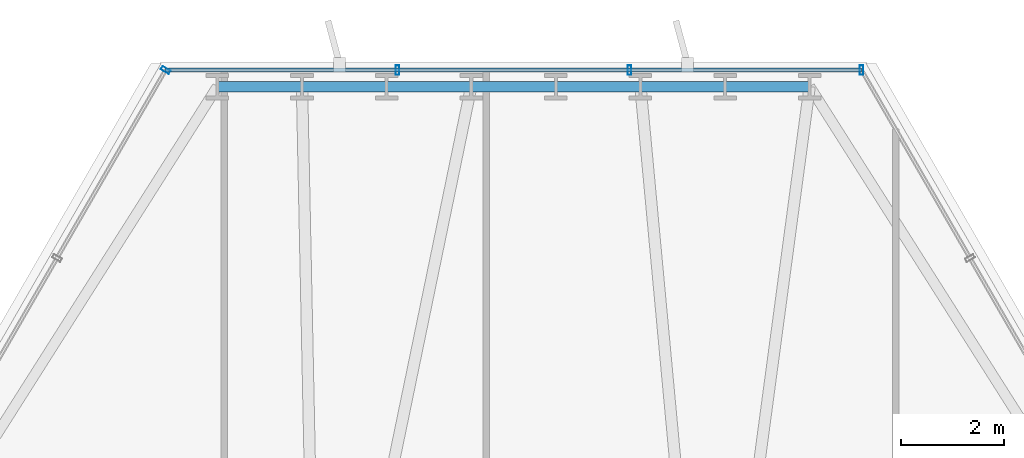
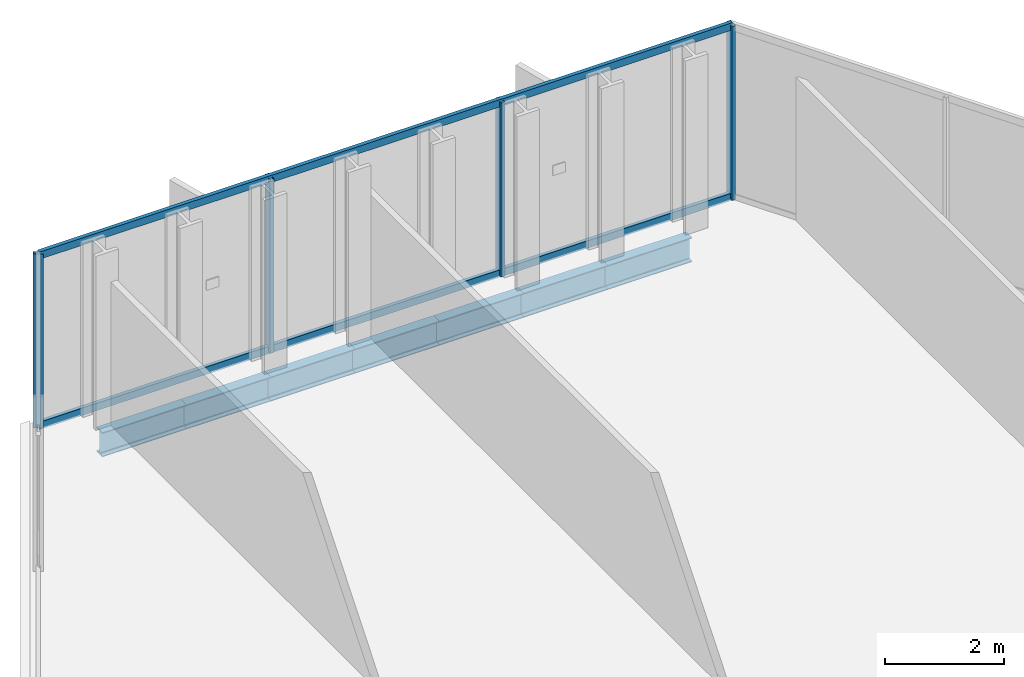
# One storey, part 22 of 31: 7 beams, 6 members, 2 elements without a shape of their own.
"""IFC4 building model written with IfcOpenShell, lengths in metres."""

from ifc_helpers import new_model, si_unit, direction, frame, origin, origin_2d, place, context, subcontext, project, spatial, hollow_rectangle, i_section, extrude, material, layer, layer_set, material_profile, profile_set, type_object, element, aggregate, save


model = new_model("IFC4")

# Units and contexts
model_context = context("Model", 3, precision=1e-05, world=origin(), true_north=direction((0.0, 1.0)))
body_context = subcontext(model_context, "Body", "Model", "MODEL_VIEW")
ifc_project = project(units=[si_unit("LENGTHUNIT", "METRE"), si_unit("AREAUNIT", "SQUARE_METRE"), si_unit("VOLUMEUNIT", "CUBIC_METRE"), si_unit("PLANEANGLEUNIT", "RADIAN"), si_unit("MASSUNIT", "GRAM", prefix="KILO")], contexts=[model_context])

# Site, building, storey
site_placement = place(None, origin())
site = spatial("IfcSite", under=ifc_project, at=site_placement, CompositionType="ELEMENT")
building_placement = place(site_placement, origin())
building = spatial("IfcBuilding", under=site, at=building_placement, Name="Ndaravel Arena Tower", CompositionType="ELEMENT")
storey_placement = place(building_placement, frame((0.0, 0.0, 100.60009765625)))
storey = spatial("IfcBuildingStorey", under=building, at=storey_placement, Name="L23", CompositionType="ELEMENT", Elevation=100.60009765625)

# Beams
ifc_material_1 = material(Name="Steel S355", Category="steel")
ifc_material_profile_1 = material_profile(ifc_material_1, i_section(OverallWidth=0.199951171875, OverallDepth=0.5, WebThickness=0.01025390625, FlangeThickness=0.01611328125, FilletRadius=0.02099609375, at=origin_2d()), Name="IPE 500")
ifc_profile_set_1 = profile_set([ifc_material_profile_1], Name="Steel S355")
beam_type = type_object("IfcBeamType", Name="BM-SPAN-IPE500", PredefinedType="SPANDREL", material=ifc_profile_set_1)
for number, where, z_axis, x_axis, name in (
    (1, (47.7353515625, 45.642578125, -0.47021484375), (-1.0, 0.0, 0.0), (0.0, -1.0, 0.0), "L23 Perimeter Spandrel Beam SP-11"),
    (2, (46.0966796875, 45.642578125, -0.47021484375), (-1.0, 0.0, 0.0), (0.0, -1.0, 0.0), "L23 Perimeter Spandrel Beam SP-12"),
    (3, (44.4580078125, 45.642578125, -0.47021484375), (-1.0, 0.0, 0.0), (0.0, -1.0, 0.0), "L23 Perimeter Spandrel Beam SP-13"),
    (4, (42.8193359375, 45.642578125, -0.47021484375), (-1.0, 0.0, 0.0), (0.0, -1.0, 0.0), "L23 Perimeter Spandrel Beam SP-14"),
    (5, (41.1806640625, 45.642578125, -0.47021484375), (-1.0, 0.0, 0.0), (0.0, -1.0, 0.0), "L23 Perimeter Spandrel Beam SP-15"),
    (6, (39.5419921875, 45.642578125, -0.47021484375), (-1.0, 0.0, 0.0), (0.0, -1.0, 0.0), "L23 Perimeter Spandrel Beam SP-16"),
    (7, (37.9033203125, 45.642578125, -0.47021484375), (-1.0, 0.0, 0.0), (0.0, -1.0, 0.0), "L23 Perimeter Spandrel Beam SP-17"),
):
    element("IfcBeam", number, at=place(storey_placement, frame(where, z_axis=z_axis, x_axis=x_axis)), inside=storey, type_object=beam_type, Name=name, PredefinedType="SPANDREL", context=body_context, shape_type="SweptSolid", body=[
        extrude(i_section(OverallWidth=0.199951171875, OverallDepth=0.5, WebThickness=0.01025390625, FlangeThickness=0.01611328125, FilletRadius=0.02099609375, at=origin_2d()), origin(), (0.0, 0.0, 1.0), 1.638671875),
    ])

# Curtain wall, members
ifc_material_2 = material(Name="Aluminium", Category="aluminium")
ifc_layer_1 = layer(ifc_material_2, 0.179931640625)
ifc_layer_set_1 = layer_set([ifc_layer_1], Name="Aluminium")
curtain_wall_type_1 = type_object("IfcCurtainWallType", Name="CW-SYS-01", PredefinedType="NOTDEFINED", material=ifc_layer_set_1)
curtain_wall_1_placement = place(storey_placement, origin())
curtain_wall_1 = element("IfcCurtainWall", 8, at=curtain_wall_1_placement, inside=storey, type_object=curtain_wall_type_1, Name="L23 Faceted Crystal Curtain Wall CW-L23-E04", PredefinedType="NOTDEFINED")
ifc_material_3 = material(Name="Aluminium", Category="aluminium")
ifc_material_profile_2 = material_profile(ifc_material_3, hollow_rectangle(XDim=0.074951171875, YDim=0.179931640625, WallThickness=0.00390625, at=origin_2d()), Name="CW MULLION 75x180x4")
ifc_profile_set_2 = profile_set([ifc_material_profile_2], Name="Aluminium")
member_type_1 = type_object("IfcMemberType", Name="MEM-CW-MUL180", PredefinedType="MULLION", material=ifc_profile_set_2)
member_1_placement = place(storey_placement, frame((48.7392578125, 45.962646484375, 0.0), z_axis=(0.0, 0.0, 1.0), x_axis=(-1.0, 0.0, 0.0)))
member_1 = element("IfcMember", 9, at=member_1_placement, type_object=member_type_1, Name="CW-L23-E04 Mullion 00", PredefinedType="MULLION", context=body_context, shape_type="SweptSolid", body=[
    extrude(hollow_rectangle(XDim=0.074951171875, YDim=0.179931640625, WallThickness=0.00390625, at=origin_2d()), origin(), (0.0, 0.0, 1.0), 3.579833984375),
])
member_2_placement = place(storey_placement, frame((44.246337890625, 45.962646484375, 0.0), z_axis=(0.0, 0.0, 1.0), x_axis=(-1.0, 0.0, 0.0)))
member_2 = element("IfcMember", 10, at=member_2_placement, type_object=member_type_1, Name="CW-L23-E04 Mullion 01", PredefinedType="MULLION", context=body_context, shape_type="SweptSolid", body=[
    extrude(hollow_rectangle(XDim=0.074951171875, YDim=0.179931640625, WallThickness=0.00390625, at=origin_2d()), origin(), (0.0, 0.0, 1.0), 3.579833984375),
])
member_3_placement = place(storey_placement, frame((39.753662109375, 45.962646484375, 0.0), z_axis=(0.0, 0.0, 1.0), x_axis=(-1.0, 0.0, 0.0)))
member_3 = element("IfcMember", 11, at=member_3_placement, type_object=member_type_1, Name="CW-L23-E04 Mullion 02", PredefinedType="MULLION", context=body_context, shape_type="SweptSolid", body=[
    extrude(hollow_rectangle(XDim=0.074951171875, YDim=0.179931640625, WallThickness=0.00390625, at=origin_2d()), origin(), (0.0, 0.0, 1.0), 3.579833984375),
])

# Curtain wall, member
ifc_material_4 = material(Name="Aluminium", Category="aluminium")
ifc_layer_2 = layer(ifc_material_4, 0.179931640625)
ifc_layer_set_2 = layer_set([ifc_layer_2], Name="Aluminium")
curtain_wall_type_2 = type_object("IfcCurtainWallType", Name="CW-SYS-03", PredefinedType="NOTDEFINED", material=ifc_layer_set_2)
curtain_wall_2_placement = place(storey_placement, origin())
curtain_wall_2 = element("IfcCurtainWall", 12, at=curtain_wall_2_placement, inside=storey, type_object=curtain_wall_type_2, Name="L23 Faceted Crystal Curtain Wall CW-L23-E05", PredefinedType="NOTDEFINED")
member_4_placement = place(storey_placement, frame((35.2607421875, 45.962646484375, 0.0), z_axis=(0.0, 0.0, 1.0), x_axis=(-0.5, -0.866025403784, 0.0)))
member_4 = element("IfcMember", 13, at=member_4_placement, type_object=member_type_1, Name="CW-L23-E05 Mullion 00", PredefinedType="MULLION", context=body_context, shape_type="SweptSolid", body=[
    extrude(hollow_rectangle(XDim=0.074951171875, YDim=0.179931640625, WallThickness=0.00390625, at=origin_2d()), origin(), (0.0, 0.0, 1.0), 3.579833984375),
])
aggregate(curtain_wall_2, [member_4])

# Member
ifc_material_5 = material(Name="Aluminium", Category="aluminium")
ifc_material_profile_3 = material_profile(ifc_material_5, hollow_rectangle(XDim=0.074951171875, YDim=0.14990234375, WallThickness=0.00390625, at=origin_2d()), Name="CW TRANSOM 75x150x4")
ifc_profile_set_3 = profile_set([ifc_material_profile_3], Name="Aluminium")
member_type_2 = type_object("IfcMemberType", Name="MEM-CW-TRN150", PredefinedType="USERDEFINED", material=ifc_profile_set_3)
member_5_placement = place(storey_placement, frame((48.7392578125, 45.962646484375, 0.039794921875), z_axis=(-1.0, 0.0, 0.0), x_axis=(0.0, -1.0, 0.0)))
member_5 = element("IfcMember", 14, at=member_5_placement, type_object=member_type_2, Name="CW-L23-E04 Transom 01", ObjectType="TRANSOM", PredefinedType="USERDEFINED", context=body_context, shape_type="SweptSolid", body=[
    extrude(hollow_rectangle(XDim=0.074951171875, YDim=0.14990234375, WallThickness=0.00390625, at=origin_2d()), origin(), (0.0, 0.0, 1.0), 13.478515625),
])

member_6_placement = place(storey_placement, frame((48.7392578125, 45.962646484375, 3.539794921875), z_axis=(-1.0, 0.0, 0.0), x_axis=(0.0, -1.0, 0.0)))
member_6 = element("IfcMember", 15, at=member_6_placement, type_object=member_type_2, Name="CW-L23-E04 Transom 02", ObjectType="TRANSOM", PredefinedType="USERDEFINED", context=body_context, shape_type="SweptSolid", body=[
    extrude(hollow_rectangle(XDim=0.074951171875, YDim=0.14990234375, WallThickness=0.00390625, at=origin_2d()), origin(), (0.0, 0.0, 1.0), 13.478515625),
])

aggregate(curtain_wall_1, [member_1, member_2, member_3, member_5, member_6])

save(model, "model.ifc")
